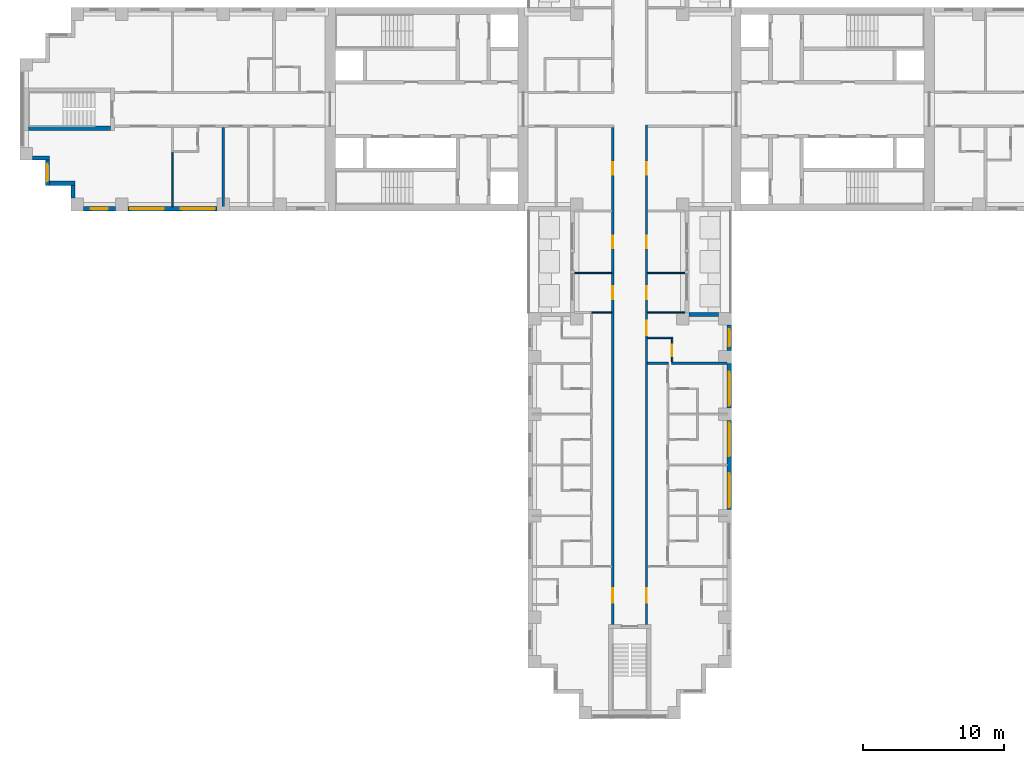
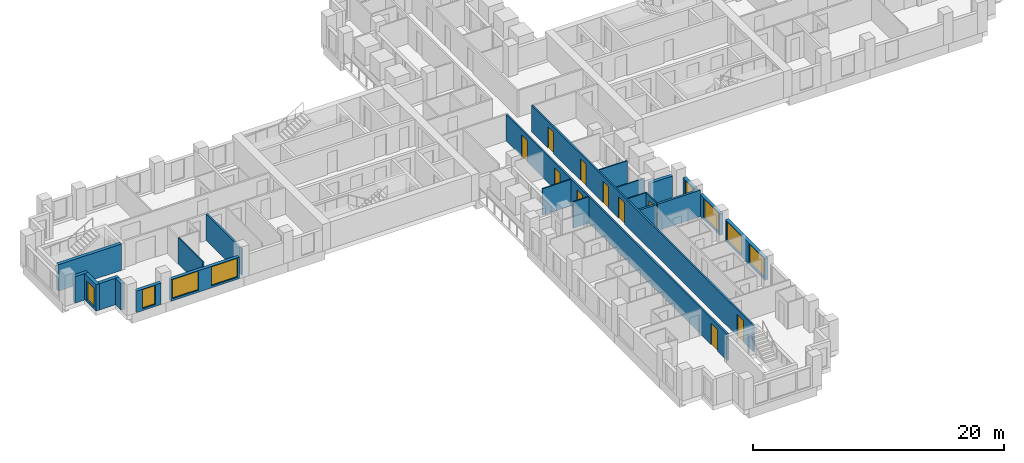
# One storey, part 5 of 14: 23 walls, 10 doors, 8 windows, 18 openings.
"""IFC4 building model written with IfcOpenShell, lengths in metres."""

from ifc_helpers import new_model, si_unit, direction, frame, frame_2d, origin, place, context, subcontext, project, spatial, rectangle, extrude, material, layer, layer_set, type_object, element, fill, save


model = new_model("IFC4")

# Units and contexts
model_context = context("Model", 3, precision=1e-05, world=origin(), true_north=direction((0.0, 1.0)))
body_context = subcontext(model_context, "Body", "Model", "MODEL_VIEW")
ifc_project = project(units=[si_unit("LENGTHUNIT", "METRE"), si_unit("AREAUNIT", "SQUARE_METRE"), si_unit("VOLUMEUNIT", "CUBIC_METRE"), si_unit("PLANEANGLEUNIT", "RADIAN"), si_unit("MASSUNIT", "GRAM", prefix="KILO")], contexts=[model_context])

# Site, building, storey
site_placement = place(None, origin())
site = spatial("IfcSite", under=ifc_project, at=site_placement, CompositionType="ELEMENT")
building_placement = place(site_placement, origin())
building = spatial("IfcBuilding", under=site, at=building_placement, Name="Fustian Cross Tower", CompositionType="ELEMENT")
storey_placement = place(building_placement, frame((0.0, 0.0, 72.89990234375)))
storey = spatial("IfcBuildingStorey", under=building, at=storey_placement, Name="L22", CompositionType="ELEMENT", Elevation=72.89990234375)

# Wall
ifc_material_1 = material(Name="Plasterboard on steel stud", Category="steel")
ifc_layer_1 = layer(ifc_material_1, 0.14990234375)
ifc_layer_set_1 = layer_set([ifc_layer_1], Name="Plasterboard on steel stud")
wall_type_1 = type_object("IfcWallType", Name="COMPARTMENT WALL 150 EI 60", PredefinedType="PARTITIONING", material=ifc_layer_set_1)
wall_1_placement = place(storey_placement, frame((-28.800048828125, -6.89990234375, 0.0), z_axis=(0.0, 0.0, 1.0), x_axis=(0.0, 1.0, 0.0)))
element("IfcWall", 1, at=wall_1_placement, inside=storey, type_object=wall_type_1, Name="Partition 8", PredefinedType="PARTITIONING", context=body_context, shape_type="SweptSolid", body=[
    extrude(rectangle(XDim=5.625, YDim=0.14990234375, at=frame_2d((2.8125, 0.0))), origin(), (0.0, 0.0, 1.0), 2.5751953125),
])

# Wall, openings, doors
wall_2_placement = place(storey_placement, frame((-1.199951171875, -36.5, 0.0), z_axis=(0.0, 0.0, 1.0), x_axis=(0.0, 1.0, 0.0)))
wall_2 = element("IfcWall", 2, at=wall_2_placement, inside=storey, type_object=wall_type_1, Name="Partition 49", PredefinedType="PARTITIONING", context=body_context, shape_type="SweptSolid", body=[
    extrude(rectangle(XDim=35.22509765625, YDim=0.14990234375, at=frame_2d((17.612548828125, 0.0))), origin(), (0.0, 0.0, 1.0), 2.5751953125),
])
opening_1_placement = place(wall_2_placement, frame((31.85009765625, 0.0, 0.0)))
opening_1 = element("IfcOpeningElement", 3, at=opening_1_placement, cuts=wall_2, Name="Opening D11007", PredefinedType="OPENING", context=body_context, shape_type="SweptSolid", body=[
    extrude(rectangle(XDim=0.89990234375, YDim=2.10009765625, at=frame_2d((0.449951171875, 1.050048828125))), frame((0.0, 0.0849609375, 0.0), z_axis=(0.0, -1.0, 0.0), x_axis=(1.0, 0.0, 0.0)), (0.0, 0.0, 1.0), 0.169921875),
])
opening_2_placement = place(wall_2_placement, frame((23.050048828125, 0.0, 0.0)))
opening_2 = element("IfcOpeningElement", 4, at=opening_2_placement, cuts=wall_2, Name="Opening D11051", PredefinedType="OPENING", context=body_context, shape_type="SweptSolid", body=[
    extrude(rectangle(XDim=0.89990234375, YDim=2.10009765625, at=frame_2d((0.449951171875, 1.050048828125))), frame((0.0, 0.0849609375, 0.0), z_axis=(0.0, -1.0, 0.0), x_axis=(1.0, 0.0, 0.0)), (0.0, 0.0, 1.0), 0.169921875),
])
opening_3_placement = place(wall_2_placement, frame((26.64990234375, 0.0, 0.0)))
opening_3 = element("IfcOpeningElement", 5, at=opening_3_placement, cuts=wall_2, Name="Opening D11052", PredefinedType="OPENING", context=body_context, shape_type="SweptSolid", body=[
    extrude(rectangle(XDim=0.89990234375, YDim=2.10009765625, at=frame_2d((0.449951171875, 1.050048828125))), frame((0.0, 0.0849609375, 0.0), z_axis=(0.0, -1.0, 0.0), x_axis=(1.0, 0.0, 0.0)), (0.0, 0.0, 1.0), 0.169921875),
])
opening_4_placement = place(wall_2_placement, frame((1.550048828125, 0.0, 0.0)))
opening_4 = element("IfcOpeningElement", 6, at=opening_4_placement, cuts=wall_2, Name="Opening D11054", PredefinedType="OPENING", context=body_context, shape_type="SweptSolid", body=[
    extrude(rectangle(XDim=1.0, YDim=2.10009765625, at=frame_2d((0.5, 1.050048828125))), frame((0.0, 0.0849609375, 0.0), z_axis=(0.0, -1.0, 0.0), x_axis=(1.0, 0.0, 0.0)), (0.0, 0.0, 1.0), 0.169921875),
])
ifc_material_2 = material(Name="Timber fire door set", Category="wood")
door_type_1 = type_object("IfcDoorType", Name="FIRE SWING DOOR 1000 FD30S", OperationType="SINGLE_SWING_LEFT", PredefinedType="DOOR", material=ifc_material_2)
door_1_placement = place(opening_4_placement, origin())
door_1 = element("IfcDoor", 7, at=door_1_placement, inside=storey, type_object=door_type_1, Name="Door D11054", OperationType="SINGLE_SWING_RIGHT", OverallHeight=2.10009765625, OverallWidth=1.0, PredefinedType="DOOR", context=body_context, shape_type="SweptSolid", body=[
    extrude(rectangle(XDim=1.0, YDim=2.10009765625, at=frame_2d((0.5, 1.050048828125))), frame((0.0, 0.02490234375, 0.0), z_axis=(0.0, -1.0, 0.0), x_axis=(1.0, 0.0, 0.0)), (0.0, 0.0, 1.0), 0.050048828125),
])
fill(opening_4, door_1)
ifc_material_3 = material(Name="Timber fire door set", Category="wood")
door_type_2 = type_object("IfcDoorType", Name="FIRE SWING DOOR 900 FD30S", OperationType="SINGLE_SWING_LEFT", PredefinedType="DOOR", material=ifc_material_3)
door_2_placement = place(opening_1_placement, origin())
door_2 = element("IfcDoor", 8, at=door_2_placement, inside=storey, type_object=door_type_2, Name="Door D11007", OperationType="SINGLE_SWING_LEFT", OverallHeight=2.10009765625, OverallWidth=0.89990234375, PredefinedType="DOOR", context=body_context, shape_type="SweptSolid", body=[
    extrude(rectangle(XDim=0.89990234375, YDim=2.10009765625, at=frame_2d((0.449951171875, 1.050048828125))), frame((0.0, 0.02490234375, 0.0), z_axis=(0.0, -1.0, 0.0), x_axis=(1.0, 0.0, 0.0)), (0.0, 0.0, 1.0), 0.050048828125),
])
fill(opening_1, door_2)
door_3_placement = place(opening_2_placement, origin())
door_3 = element("IfcDoor", 9, at=door_3_placement, inside=storey, type_object=door_type_2, Name="Door D11051", OperationType="SINGLE_SWING_LEFT", OverallHeight=2.10009765625, OverallWidth=0.89990234375, PredefinedType="DOOR", context=body_context, shape_type="SweptSolid", body=[
    extrude(rectangle(XDim=0.89990234375, YDim=2.10009765625, at=frame_2d((0.449951171875, 1.050048828125))), frame((0.0, 0.02490234375, 0.0), z_axis=(0.0, -1.0, 0.0), x_axis=(1.0, 0.0, 0.0)), (0.0, 0.0, 1.0), 0.050048828125),
])
fill(opening_2, door_3)
door_4_placement = place(opening_3_placement, origin())
door_4 = element("IfcDoor", 10, at=door_4_placement, inside=storey, type_object=door_type_2, Name="Door D11052", OperationType="SINGLE_SWING_LEFT", OverallHeight=2.10009765625, OverallWidth=0.89990234375, PredefinedType="DOOR", context=body_context, shape_type="SweptSolid", body=[
    extrude(rectangle(XDim=0.89990234375, YDim=2.10009765625, at=frame_2d((0.449951171875, 1.050048828125))), frame((0.0, 0.02490234375, 0.0), z_axis=(0.0, -1.0, 0.0), x_axis=(1.0, 0.0, 0.0)), (0.0, 0.0, 1.0), 0.050048828125),
])
fill(opening_3, door_4)

wall_3_placement = place(storey_placement, frame((1.199951171875, -36.5, 0.0), z_axis=(0.0, 0.0, 1.0), x_axis=(0.0, 1.0, 0.0)))
wall_3 = element("IfcWall", 11, at=wall_3_placement, inside=storey, type_object=wall_type_1, Name="Partition 52", PredefinedType="PARTITIONING", context=body_context, shape_type="SweptSolid", body=[
    extrude(rectangle(XDim=35.375, YDim=0.14990234375, at=frame_2d((17.6875, 0.0))), origin(), (0.0, 0.0, 1.0), 2.5751953125),
])
opening_5_placement = place(wall_3_placement, frame((31.85009765625, 0.0, 0.0)))
opening_5 = element("IfcOpeningElement", 12, at=opening_5_placement, cuts=wall_3, Name="Opening D11005", PredefinedType="OPENING", context=body_context, shape_type="SweptSolid", body=[
    extrude(rectangle(XDim=0.89990234375, YDim=2.10009765625, at=frame_2d((0.449951171875, 1.050048828125))), frame((0.0, 0.0849609375, 0.0), z_axis=(0.0, -1.0, 0.0), x_axis=(1.0, 0.0, 0.0)), (0.0, 0.0, 1.0), 0.169921875),
])
opening_6_placement = place(wall_3_placement, frame((23.050048828125, 0.0, 0.0)))
opening_6 = element("IfcOpeningElement", 13, at=opening_6_placement, cuts=wall_3, Name="Opening D11036", PredefinedType="OPENING", context=body_context, shape_type="SweptSolid", body=[
    extrude(rectangle(XDim=0.89990234375, YDim=2.10009765625, at=frame_2d((0.449951171875, 1.050048828125))), frame((0.0, 0.0849609375, 0.0), z_axis=(0.0, -1.0, 0.0), x_axis=(1.0, 0.0, 0.0)), (0.0, 0.0, 1.0), 0.169921875),
])
opening_7_placement = place(wall_3_placement, frame((26.64990234375, 0.0, 0.0)))
opening_7 = element("IfcOpeningElement", 14, at=opening_7_placement, cuts=wall_3, Name="Opening D11037", PredefinedType="OPENING", context=body_context, shape_type="SweptSolid", body=[
    extrude(rectangle(XDim=0.89990234375, YDim=2.10009765625, at=frame_2d((0.449951171875, 1.050048828125))), frame((0.0, 0.0849609375, 0.0), z_axis=(0.0, -1.0, 0.0), x_axis=(1.0, 0.0, 0.0)), (0.0, 0.0, 1.0), 0.169921875),
])
opening_8_placement = place(wall_3_placement, frame((20.5, 0.0, 0.0)))
opening_8 = element("IfcOpeningElement", 15, at=opening_8_placement, cuts=wall_3, Name="Opening D11039", PredefinedType="OPENING", context=body_context, shape_type="SweptSolid", body=[
    extrude(rectangle(XDim=1.0, YDim=2.10009765625, at=frame_2d((0.5, 1.050048828125))), frame((0.0, 0.0849609375, 0.0), z_axis=(0.0, -1.0, 0.0), x_axis=(1.0, 0.0, 0.0)), (0.0, 0.0, 1.0), 0.169921875),
])
opening_9_placement = place(wall_3_placement, frame((1.550048828125, 0.0, 0.0)))
opening_9 = element("IfcOpeningElement", 16, at=opening_9_placement, cuts=wall_3, Name="Opening D11041", PredefinedType="OPENING", context=body_context, shape_type="SweptSolid", body=[
    extrude(rectangle(XDim=1.0, YDim=2.10009765625, at=frame_2d((0.5, 1.050048828125))), frame((0.0, 0.0849609375, 0.0), z_axis=(0.0, -1.0, 0.0), x_axis=(1.0, 0.0, 0.0)), (0.0, 0.0, 1.0), 0.169921875),
])
door_5_placement = place(opening_8_placement, frame((1.0, 0.0, 0.0), z_axis=(0.0, 0.0, 1.0), x_axis=(-1.0, 0.0, 0.0)))
door_5 = element("IfcDoor", 17, at=door_5_placement, inside=storey, type_object=door_type_1, Name="Door D11039", OperationType="SINGLE_SWING_RIGHT", OverallHeight=2.10009765625, OverallWidth=1.0, PredefinedType="DOOR", context=body_context, shape_type="SweptSolid", body=[
    extrude(rectangle(XDim=1.0, YDim=2.10009765625, at=frame_2d((0.5, 1.050048828125))), frame((0.0, 0.02490234375, 0.0), z_axis=(0.0, -1.0, 0.0), x_axis=(1.0, 0.0, 0.0)), (0.0, 0.0, 1.0), 0.050048828125),
])
fill(opening_8, door_5)
door_6_placement = place(opening_9_placement, frame((1.0, 0.0, 0.0), z_axis=(0.0, 0.0, 1.0), x_axis=(-1.0, 0.0, 0.0)))
door_6 = element("IfcDoor", 18, at=door_6_placement, inside=storey, type_object=door_type_1, Name="Door D11041", OperationType="SINGLE_SWING_LEFT", OverallHeight=2.10009765625, OverallWidth=1.0, PredefinedType="DOOR", context=body_context, shape_type="SweptSolid", body=[
    extrude(rectangle(XDim=1.0, YDim=2.10009765625, at=frame_2d((0.5, 1.050048828125))), frame((0.0, 0.02490234375, 0.0), z_axis=(0.0, -1.0, 0.0), x_axis=(1.0, 0.0, 0.0)), (0.0, 0.0, 1.0), 0.050048828125),
])
fill(opening_9, door_6)
door_7_placement = place(opening_5_placement, frame((0.89990234375, 0.0, 0.0), z_axis=(0.0, 0.0, 1.0), x_axis=(-1.0, 0.0, 0.0)))
door_7 = element("IfcDoor", 19, at=door_7_placement, inside=storey, type_object=door_type_2, Name="Door D11005", OperationType="SINGLE_SWING_RIGHT", OverallHeight=2.10009765625, OverallWidth=0.89990234375, PredefinedType="DOOR", context=body_context, shape_type="SweptSolid", body=[
    extrude(rectangle(XDim=0.89990234375, YDim=2.10009765625, at=frame_2d((0.449951171875, 1.050048828125))), frame((0.0, 0.02490234375, 0.0), z_axis=(0.0, -1.0, 0.0), x_axis=(1.0, 0.0, 0.0)), (0.0, 0.0, 1.0), 0.050048828125),
])
fill(opening_5, door_7)
door_8_placement = place(opening_6_placement, frame((0.89990234375, 0.0, 0.0), z_axis=(0.0, 0.0, 1.0), x_axis=(-1.0, 0.0, 0.0)))
door_8 = element("IfcDoor", 20, at=door_8_placement, inside=storey, type_object=door_type_2, Name="Door D11036", OperationType="SINGLE_SWING_RIGHT", OverallHeight=2.10009765625, OverallWidth=0.89990234375, PredefinedType="DOOR", context=body_context, shape_type="SweptSolid", body=[
    extrude(rectangle(XDim=0.89990234375, YDim=2.10009765625, at=frame_2d((0.449951171875, 1.050048828125))), frame((0.0, 0.02490234375, 0.0), z_axis=(0.0, -1.0, 0.0), x_axis=(1.0, 0.0, 0.0)), (0.0, 0.0, 1.0), 0.050048828125),
])
fill(opening_6, door_8)
door_9_placement = place(opening_7_placement, frame((0.89990234375, 0.0, 0.0), z_axis=(0.0, 0.0, 1.0), x_axis=(-1.0, 0.0, 0.0)))
door_9 = element("IfcDoor", 21, at=door_9_placement, inside=storey, type_object=door_type_2, Name="Door D11037", OperationType="SINGLE_SWING_RIGHT", OverallHeight=2.10009765625, OverallWidth=0.89990234375, PredefinedType="DOOR", context=body_context, shape_type="SweptSolid", body=[
    extrude(rectangle(XDim=0.89990234375, YDim=2.10009765625, at=frame_2d((0.449951171875, 1.050048828125))), frame((0.0, 0.02490234375, 0.0), z_axis=(0.0, -1.0, 0.0), x_axis=(1.0, 0.0, 0.0)), (0.0, 0.0, 1.0), 0.050048828125),
])
fill(opening_7, door_9)

# Walls
ifc_material_4 = material(Name="Plasterboard on steel stud", Category="steel")
ifc_layer_2 = layer(ifc_material_4, 0.10009765625)
ifc_layer_set_2 = layer_set([ifc_layer_2], Name="Plasterboard on steel stud")
wall_type_2 = type_object("IfcWallType", Name="PARTITION 100 STUD", PredefinedType="PARTITIONING", material=ifc_layer_set_2)
wall_4_placement = place(storey_placement, frame((-32.39990234375, -6.89990234375, 0.0), z_axis=(0.0, 0.0, 1.0), x_axis=(0.0, 1.0, 0.0)))
element("IfcWall", 22, at=wall_4_placement, inside=storey, type_object=wall_type_2, Name="Partition 3", PredefinedType="PARTITIONING", context=body_context, shape_type="SweptSolid", body=[
    extrude(rectangle(XDim=3.89990234375, YDim=0.10009765625, at=frame_2d((1.949951171875, 0.0))), origin(), (0.0, 0.0, 1.0), 2.5751953125),
])
wall_5_placement = place(storey_placement, frame((-3.89990234375, -11.60009765625, 0.0), z_axis=(0.0, 0.0, 1.0), x_axis=(1.0, 0.0, 0.0)))
element("IfcWall", 23, at=wall_5_placement, inside=storey, type_object=wall_type_2, Name="Partition 39", PredefinedType="PARTITIONING", context=body_context, shape_type="SweptSolid", body=[
    extrude(rectangle(XDim=2.625, YDim=0.10009765625, at=frame_2d((1.3125, 0.0))), origin(), (0.0, 0.0, 1.0), 2.5751953125),
])
wall_6_placement = place(storey_placement, frame((-2.699951171875, -14.39990234375, 0.0), z_axis=(0.0, 0.0, 1.0), x_axis=(1.0, 0.0, 0.0)))
element("IfcWall", 24, at=wall_6_placement, inside=storey, type_object=wall_type_2, Name="Partition 48", PredefinedType="PARTITIONING", context=body_context, shape_type="SweptSolid", body=[
    extrude(rectangle(XDim=1.425048828125, YDim=0.10009765625, at=frame_2d((0.71240234375, 0.0))), origin(), (0.0, 0.0, 1.0), 2.5751953125),
])
wall_7_placement = place(storey_placement, frame((1.27490234375, -16.199951171875, 0.0), z_axis=(0.0, 0.0, 1.0), x_axis=(1.0, 0.0, 0.0)))
element("IfcWall", 25, at=wall_7_placement, inside=storey, type_object=wall_type_2, Name="Partition 55", PredefinedType="PARTITIONING", context=body_context, shape_type="SweptSolid", body=[
    extrude(rectangle(XDim=1.775146484375, YDim=0.10009765625, at=frame_2d((0.8876953125, 0.0))), origin(), (0.0, 0.0, 1.0), 2.5751953125),
])
for number, where, z_axis, x_axis, name in (
    (26, (1.27490234375, -14.39990234375, 0.0), (0.0, 0.0, 1.0), (1.0, 0.0, 0.0), "Partition 56"),
    (27, (1.27490234375, -11.60009765625, 0.0), (0.0, 0.0, 1.0), (1.0, 0.0, 0.0), "Partition 57"),
):
    element("IfcWall", number, at=place(storey_placement, frame(where, z_axis=z_axis, x_axis=x_axis)), inside=storey, type_object=wall_type_2, Name=name, PredefinedType="PARTITIONING", context=body_context, shape_type="SweptSolid", body=[
        extrude(rectangle(XDim=2.625, YDim=0.10009765625, at=frame_2d((1.3125, 0.0))), origin(), (0.0, 0.0, 1.0), 2.5751953125),
    ])

# Wall, opening, door
wall_8_placement = place(storey_placement, frame((3.0, -17.89990234375, 0.0), z_axis=(0.0, 0.0, 1.0), x_axis=(0.0, 1.0, 0.0)))
wall_8 = element("IfcWall", 28, at=wall_8_placement, inside=storey, type_object=wall_type_2, Name="Partition 75", PredefinedType="PARTITIONING", context=body_context, shape_type="SweptSolid", body=[
    extrude(rectangle(XDim=1.64990234375, YDim=0.10009765625, at=frame_2d((0.824951171875, 0.0))), origin(), (0.0, 0.0, 1.0), 2.5751953125),
])
opening_10_placement = place(wall_8_placement, frame((0.39990234375, 0.0, 0.0)))
opening_10 = element("IfcOpeningElement", 29, at=opening_10_placement, cuts=wall_8, Name="Opening D11038", PredefinedType="OPENING", context=body_context, shape_type="SweptSolid", body=[
    extrude(rectangle(XDim=0.800048828125, YDim=2.10009765625, at=frame_2d((0.39990234375, 1.050048828125))), frame((0.0, 0.06005859375, 0.0), z_axis=(0.0, -1.0, 0.0), x_axis=(1.0, 0.0, 0.0)), (0.0, 0.0, 1.0), 0.1201171875),
])
ifc_material_5 = material(Name="Painted timber", Category="wood")
door_type_3 = type_object("IfcDoorType", Name="SWING DOOR 800", OperationType="SINGLE_SWING_LEFT", PredefinedType="DOOR", material=ifc_material_5)
door_10_placement = place(opening_10_placement, origin())
door_10 = element("IfcDoor", 30, at=door_10_placement, inside=storey, type_object=door_type_3, Name="Door D11038", OperationType="SINGLE_SWING_RIGHT", OverallHeight=2.10009765625, OverallWidth=0.800048828125, PredefinedType="DOOR", context=body_context, shape_type="SweptSolid", body=[
    extrude(rectangle(XDim=0.800048828125, YDim=2.10009765625, at=frame_2d((0.39990234375, 1.050048828125))), frame((0.0, 0.02490234375, 0.0), z_axis=(0.0, -1.0, 0.0), x_axis=(1.0, 0.0, 0.0)), (0.0, 0.0, 1.0), 0.050048828125),
])
fill(opening_10, door_10)

# Walls
ifc_material_6 = material(Name="Plasterboard on steel stud", Category="steel")
ifc_layer_3 = layer(ifc_material_6, 0.199951171875)
ifc_layer_set_3 = layer_set([ifc_layer_3], Name="Plasterboard on steel stud")
wall_type_3 = type_object("IfcWallType", Name="PARTY WALL 200 EI 60", PredefinedType="PARTITIONING", material=ifc_layer_set_3)
wall_9_placement = place(storey_placement, frame((1.27490234375, -18.0, 0.0), z_axis=(0.0, 0.0, 1.0), x_axis=(1.0, 0.0, 0.0)))
element("IfcWall", 31, at=wall_9_placement, inside=storey, type_object=wall_type_3, Name="Partition 54", PredefinedType="PARTITIONING", context=body_context, shape_type="SweptSolid", body=[
    extrude(rectangle(XDim=1.47509765625, YDim=0.199951171875, at=frame_2d((0.737548828125, 0.0))), origin(), (0.0, 0.0, 1.0), 2.5751953125),
])
wall_10_placement = place(storey_placement, frame((2.949951171875, -18.0, 0.0), z_axis=(0.0, 0.0, 1.0), x_axis=(1.0, 0.0, 0.0)))
element("IfcWall", 32, at=wall_10_placement, inside=storey, type_object=wall_type_3, Name="Partition 76", PredefinedType="PARTITIONING", context=body_context, shape_type="SweptSolid", body=[
    extrude(rectangle(XDim=3.949951171875, YDim=0.199951171875, at=frame_2d((1.97509765625, 0.0))), origin(), (0.0, 0.0, 1.0), 2.5751953125),
])
ifc_material_7 = material(Name="Concrete C50/60", Category="concrete")
ifc_layer_4 = layer(ifc_material_7, 0.300048828125)
ifc_layer_set_4 = layer_set([ifc_layer_4], Name="Concrete C50/60")
wall_type_4 = type_object("IfcWallType", Name="STAIR ENCLOSURE WALL 300 C50/60", PredefinedType="SHEAR", material=ifc_layer_set_4)
wall_11_placement = place(storey_placement, frame((-36.800048828125, -1.35009765625, 0.0), z_axis=(0.0, 0.0, 1.0), x_axis=(-1.0, 0.0, 0.0)))
element("IfcWall", 33, at=wall_11_placement, inside=storey, type_object=wall_type_4, Name="Stair enclosure wall", PredefinedType="SHEAR", context=body_context, shape_type="SweptSolid", body=[
    extrude(rectangle(XDim=5.800048828125, YDim=0.300048828125, at=frame_2d((2.89990234375, 0.0))), origin(), (0.0, 0.0, 1.0), 2.5751953125),
])
ifc_material_8 = material(Name="Dark aluminium cladding on insulated backing wall", Category="aluminium")
ifc_layer_5 = layer(ifc_material_8, 0.300048828125)
ifc_layer_set_5 = layer_set([ifc_layer_5], Name="Dark aluminium cladding on insulated backing wall")
wall_type_5 = type_object("IfcWallType", Name="XW1 EXTERNAL WALL 300", PredefinedType="SOLIDWALL", material=ifc_layer_set_5)
wall_12_placement = place(storey_placement, frame((-42.300048828125, -3.449951171875, 0.0), z_axis=(0.0, 0.0, 1.0), x_axis=(1.0, 0.0, 0.0)))
element("IfcWall", 34, at=wall_12_placement, inside=storey, type_object=wall_type_5, Name="External wall", PredefinedType="SOLIDWALL", context=body_context, shape_type="SweptSolid", body=[
    extrude(rectangle(XDim=1.199951171875, YDim=0.300048828125, at=frame_2d((0.60009765625, 0.0))), origin(), (0.0, 0.0, 1.0), 2.5751953125),
])

# Wall, opening, window
wall_13_placement = place(storey_placement, frame((-41.25, -3.60009765625, 0.0), z_axis=(0.0, 0.0, 1.0), x_axis=(0.0, -1.0, 0.0)))
wall_13 = element("IfcWall", 35, at=wall_13_placement, inside=storey, type_object=wall_type_5, Name="External wall", PredefinedType="SOLIDWALL", context=body_context, shape_type="SweptSolid", body=[
    extrude(rectangle(XDim=1.7998046875, YDim=0.300048828125, at=frame_2d((0.89990234375, 0.0))), origin(), (0.0, 0.0, 1.0), 2.5751953125),
])
opening_11_placement = place(wall_13_placement, frame((0.300048828125, 0.0, 0.199951171875)))
opening_11 = element("IfcOpeningElement", 36, at=opening_11_placement, cuts=wall_13, Name="Opening WN3", PredefinedType="OPENING", context=body_context, shape_type="SweptSolid", body=[
    extrude(rectangle(XDim=1.199951171875, YDim=1.85009765625, at=frame_2d((0.60009765625, 0.925048828125))), frame((0.0, 0.159912109375, 0.0), z_axis=(0.0, -1.0, 0.0), x_axis=(1.0, 0.0, 0.0)), (0.0, 0.0, 1.0), 0.320068359375),
])
ifc_material_9 = material(Name="Dark anodised aluminium and double glazing", Category="aluminium")
window_type_1 = type_object("IfcWindowType", Name="WN3 WINDOW 1200X1850", PartitioningType="SINGLE_PANEL", PredefinedType="WINDOW", material=ifc_material_9)
window_1_placement = place(opening_11_placement, origin())
window_1 = element("IfcWindow", 37, at=window_1_placement, inside=storey, type_object=window_type_1, Name="Window", OverallHeight=1.85009765625, OverallWidth=1.199951171875, PartitioningType="SINGLE_PANEL", PredefinedType="WINDOW", context=body_context, shape_type="SweptSolid", body=[
    extrude(rectangle(XDim=1.199951171875, YDim=1.85009765625, at=frame_2d((0.60009765625, 0.925048828125))), frame((0.0, 0.030029296875, 0.0), z_axis=(0.0, -1.0, 0.0), x_axis=(1.0, 0.0, 0.0)), (0.0, 0.0, 1.0), 0.06005859375),
])
fill(opening_11, window_1)

# Walls
wall_14_placement = place(storey_placement, frame((-41.10009765625, -5.25, 0.0), z_axis=(0.0, 0.0, 1.0), x_axis=(1.0, 0.0, 0.0)))
element("IfcWall", 38, at=wall_14_placement, inside=storey, type_object=wall_type_5, Name="External wall", PredefinedType="SOLIDWALL", context=body_context, shape_type="SweptSolid", body=[
    extrude(rectangle(XDim=1.800048828125, YDim=0.300048828125, at=frame_2d((0.89990234375, 0.0))), origin(), (0.0, 0.0, 1.0), 2.5751953125),
])
wall_15_placement = place(storey_placement, frame((-39.449951171875, -5.39990234375, 0.0), z_axis=(0.0, 0.0, 1.0), x_axis=(0.0, -1.0, 0.0)))
element("IfcWall", 39, at=wall_15_placement, inside=storey, type_object=wall_type_5, Name="External wall", PredefinedType="SOLIDWALL", context=body_context, shape_type="SweptSolid", body=[
    extrude(rectangle(XDim=0.900146484375, YDim=0.300048828125, at=frame_2d((0.4501953125, 0.0))), origin(), (0.0, 0.0, 1.0), 2.5751953125),
])

# Wall, opening, window
wall_16_placement = place(storey_placement, frame((-38.699951171875, -7.050048828125, 0.0), z_axis=(0.0, 0.0, 1.0), x_axis=(1.0, 0.0, 0.0)))
wall_16 = element("IfcWall", 40, at=wall_16_placement, inside=storey, type_object=wall_type_5, Name="External wall", PredefinedType="SOLIDWALL", context=body_context, shape_type="SweptSolid", body=[
    extrude(rectangle(XDim=2.25, YDim=0.300048828125, at=frame_2d((1.125, 0.0))), origin(), (0.0, 0.0, 1.0), 2.10009765625),
])
opening_12_placement = place(wall_16_placement, frame((0.52490234375, 0.0, 0.199951171875)))
opening_12 = element("IfcOpeningElement", 41, at=opening_12_placement, cuts=wall_16, Name="Opening WN3", PredefinedType="OPENING", context=body_context, shape_type="SweptSolid", body=[
    extrude(rectangle(XDim=1.199951171875, YDim=1.85009765625, at=frame_2d((0.60009765625, 0.925048828125))), frame((0.0, 0.159912109375, 0.0), z_axis=(0.0, -1.0, 0.0), x_axis=(1.0, 0.0, 0.0)), (0.0, 0.0, 1.0), 0.320068359375),
])
window_2_placement = place(opening_12_placement, origin())
window_2 = element("IfcWindow", 42, at=window_2_placement, inside=storey, type_object=window_type_1, Name="Window", OverallHeight=1.85009765625, OverallWidth=1.199951171875, PartitioningType="SINGLE_PANEL", PredefinedType="WINDOW", context=body_context, shape_type="SweptSolid", body=[
    extrude(rectangle(XDim=1.199951171875, YDim=1.85009765625, at=frame_2d((0.60009765625, 0.925048828125))), frame((0.0, 0.030029296875, 0.0), z_axis=(0.0, -1.0, 0.0), x_axis=(1.0, 0.0, 0.0)), (0.0, 0.0, 1.0), 0.06005859375),
])
fill(opening_12, window_2)

# Wall, openings, windows
wall_17_placement = place(storey_placement, frame((-35.550048828125, -7.050048828125, 0.0), z_axis=(0.0, 0.0, 1.0), x_axis=(1.0, 0.0, 0.0)))
wall_17 = element("IfcWall", 43, at=wall_17_placement, inside=storey, type_object=wall_type_5, Name="External wall", PredefinedType="SOLIDWALL", context=body_context, shape_type="SweptSolid", body=[
    extrude(rectangle(XDim=6.300048828125, YDim=0.300048828125, at=frame_2d((3.14990234375, 0.0))), origin(), (0.0, 0.0, 1.0), 2.10009765625),
])
opening_13_placement = place(wall_17_placement, frame((0.14990234375, 0.0, 0.199951171875)))
opening_13 = element("IfcOpeningElement", 44, at=opening_13_placement, cuts=wall_17, Name="Opening WN1", PredefinedType="OPENING", context=body_context, shape_type="SweptSolid", body=[
    extrude(rectangle(XDim=2.39990234375, YDim=1.85009765625, at=frame_2d((1.199951171875, 0.925048828125))), frame((0.0, 0.159912109375, 0.0), z_axis=(0.0, -1.0, 0.0), x_axis=(1.0, 0.0, 0.0)), (0.0, 0.0, 1.0), 0.320068359375),
])
opening_14_placement = place(wall_17_placement, frame((3.75, 0.0, 0.199951171875)))
opening_14 = element("IfcOpeningElement", 45, at=opening_14_placement, cuts=wall_17, Name="Opening WN1", PredefinedType="OPENING", context=body_context, shape_type="SweptSolid", body=[
    extrude(rectangle(XDim=2.39990234375, YDim=1.85009765625, at=frame_2d((1.199951171875, 0.925048828125))), frame((0.0, 0.159912109375, 0.0), z_axis=(0.0, -1.0, 0.0), x_axis=(1.0, 0.0, 0.0)), (0.0, 0.0, 1.0), 0.320068359375),
])
ifc_material_10 = material(Name="Dark anodised aluminium and double glazing", Category="aluminium")
window_type_2 = type_object("IfcWindowType", Name="WN1 WINDOW 2400X1850", PartitioningType="SINGLE_PANEL", PredefinedType="WINDOW", material=ifc_material_10)
window_3_placement = place(opening_13_placement, origin())
window_3 = element("IfcWindow", 46, at=window_3_placement, inside=storey, type_object=window_type_2, Name="Window", OverallHeight=1.85009765625, OverallWidth=2.39990234375, PartitioningType="SINGLE_PANEL", PredefinedType="WINDOW", context=body_context, shape_type="SweptSolid", body=[
    extrude(rectangle(XDim=2.39990234375, YDim=1.85009765625, at=frame_2d((1.199951171875, 0.925048828125))), frame((0.0, 0.030029296875, 0.0), z_axis=(0.0, -1.0, 0.0), x_axis=(1.0, 0.0, 0.0)), (0.0, 0.0, 1.0), 0.06005859375),
])
fill(opening_13, window_3)
window_4_placement = place(opening_14_placement, origin())
window_4 = element("IfcWindow", 47, at=window_4_placement, inside=storey, type_object=window_type_2, Name="Window", OverallHeight=1.85009765625, OverallWidth=2.39990234375, PartitioningType="SINGLE_PANEL", PredefinedType="WINDOW", context=body_context, shape_type="SweptSolid", body=[
    extrude(rectangle(XDim=2.39990234375, YDim=1.85009765625, at=frame_2d((1.199951171875, 0.925048828125))), frame((0.0, 0.030029296875, 0.0), z_axis=(0.0, -1.0, 0.0), x_axis=(1.0, 0.0, 0.0)), (0.0, 0.0, 1.0), 0.06005859375),
])
fill(opening_14, window_4)

wall_18_placement = place(storey_placement, frame((7.050048828125, -28.35009765625, 0.0), z_axis=(0.0, 0.0, 1.0), x_axis=(0.0, 1.0, 0.0)))
wall_18 = element("IfcWall", 48, at=wall_18_placement, inside=storey, type_object=wall_type_5, Name="External wall", PredefinedType="SOLIDWALL", context=body_context, shape_type="SweptSolid", body=[
    extrude(rectangle(XDim=6.300048828125, YDim=0.300048828125, at=frame_2d((3.14990234375, 0.0))), origin(), (0.0, 0.0, 1.0), 2.10009765625),
])
opening_15_placement = place(wall_18_placement, frame((0.14990234375, 0.0, 0.199951171875)))
opening_15 = element("IfcOpeningElement", 49, at=opening_15_placement, cuts=wall_18, Name="Opening WN1", PredefinedType="OPENING", context=body_context, shape_type="SweptSolid", body=[
    extrude(rectangle(XDim=2.39990234375, YDim=1.85009765625, at=frame_2d((1.199951171875, 0.925048828125))), frame((0.0, 0.159912109375, 0.0), z_axis=(0.0, -1.0, 0.0), x_axis=(1.0, 0.0, 0.0)), (0.0, 0.0, 1.0), 0.320068359375),
])
opening_16_placement = place(wall_18_placement, frame((3.75, 0.0, 0.199951171875)))
opening_16 = element("IfcOpeningElement", 50, at=opening_16_placement, cuts=wall_18, Name="Opening WN1", PredefinedType="OPENING", context=body_context, shape_type="SweptSolid", body=[
    extrude(rectangle(XDim=2.39990234375, YDim=1.85009765625, at=frame_2d((1.199951171875, 0.925048828125))), frame((0.0, 0.159912109375, 0.0), z_axis=(0.0, -1.0, 0.0), x_axis=(1.0, 0.0, 0.0)), (0.0, 0.0, 1.0), 0.320068359375),
])
window_5_placement = place(opening_15_placement, origin())
window_5 = element("IfcWindow", 51, at=window_5_placement, inside=storey, type_object=window_type_2, Name="Window", OverallHeight=1.85009765625, OverallWidth=2.39990234375, PartitioningType="SINGLE_PANEL", PredefinedType="WINDOW", context=body_context, shape_type="SweptSolid", body=[
    extrude(rectangle(XDim=2.39990234375, YDim=1.85009765625, at=frame_2d((1.199951171875, 0.925048828125))), frame((0.0, 0.030029296875, 0.0), z_axis=(0.0, -1.0, 0.0), x_axis=(1.0, 0.0, 0.0)), (0.0, 0.0, 1.0), 0.06005859375),
])
fill(opening_15, window_5)
window_6_placement = place(opening_16_placement, origin())
window_6 = element("IfcWindow", 52, at=window_6_placement, inside=storey, type_object=window_type_2, Name="Window", OverallHeight=1.85009765625, OverallWidth=2.39990234375, PartitioningType="SINGLE_PANEL", PredefinedType="WINDOW", context=body_context, shape_type="SweptSolid", body=[
    extrude(rectangle(XDim=2.39990234375, YDim=1.85009765625, at=frame_2d((1.199951171875, 0.925048828125))), frame((0.0, 0.030029296875, 0.0), z_axis=(0.0, -1.0, 0.0), x_axis=(1.0, 0.0, 0.0)), (0.0, 0.0, 1.0), 0.06005859375),
])
fill(opening_16, window_6)

# Wall, opening, window
wall_19_placement = place(storey_placement, frame((7.050048828125, -21.14990234375, 0.0), z_axis=(0.0, 0.0, 1.0), x_axis=(0.0, 1.0, 0.0)))
wall_19 = element("IfcWall", 53, at=wall_19_placement, inside=storey, type_object=wall_type_5, Name="External wall", PredefinedType="SOLIDWALL", context=body_context, shape_type="SweptSolid", body=[
    extrude(rectangle(XDim=3.14990234375, YDim=0.300048828125, at=frame_2d((1.574951171875, 0.0))), origin(), (0.0, 0.0, 1.0), 2.10009765625),
])
opening_17_placement = place(wall_19_placement, frame((0.14990234375, 0.0, 0.199951171875)))
opening_17 = element("IfcOpeningElement", 54, at=opening_17_placement, cuts=wall_19, Name="Opening WN1", PredefinedType="OPENING", context=body_context, shape_type="SweptSolid", body=[
    extrude(rectangle(XDim=2.39990234375, YDim=1.85009765625, at=frame_2d((1.199951171875, 0.925048828125))), frame((0.0, 0.159912109375, 0.0), z_axis=(0.0, -1.0, 0.0), x_axis=(1.0, 0.0, 0.0)), (0.0, 0.0, 1.0), 0.320068359375),
])
window_7_placement = place(opening_17_placement, origin())
window_7 = element("IfcWindow", 55, at=window_7_placement, inside=storey, type_object=window_type_2, Name="Window", OverallHeight=1.85009765625, OverallWidth=2.39990234375, PartitioningType="SINGLE_PANEL", PredefinedType="WINDOW", context=body_context, shape_type="SweptSolid", body=[
    extrude(rectangle(XDim=2.39990234375, YDim=1.85009765625, at=frame_2d((1.199951171875, 0.925048828125))), frame((0.0, 0.030029296875, 0.0), z_axis=(0.0, -1.0, 0.0), x_axis=(1.0, 0.0, 0.0)), (0.0, 0.0, 1.0), 0.06005859375),
])
fill(opening_17, window_7)

wall_20_placement = place(storey_placement, frame((7.050048828125, -17.10009765625, 0.0), z_axis=(0.0, 0.0, 1.0), x_axis=(0.0, 1.0, 0.0)))
wall_20 = element("IfcWall", 56, at=wall_20_placement, inside=storey, type_object=wall_type_5, Name="External wall", PredefinedType="SOLIDWALL", context=body_context, shape_type="SweptSolid", body=[
    extrude(rectangle(XDim=1.800048828125, YDim=0.300048828125, at=frame_2d((0.89990234375, 0.0))), origin(), (0.0, 0.0, 1.0), 2.10009765625),
])
opening_18_placement = place(wall_20_placement, frame((0.300048828125, 0.0, 0.199951171875)))
opening_18 = element("IfcOpeningElement", 57, at=opening_18_placement, cuts=wall_20, Name="Opening WN3", PredefinedType="OPENING", context=body_context, shape_type="SweptSolid", body=[
    extrude(rectangle(XDim=1.199951171875, YDim=1.85009765625, at=frame_2d((0.60009765625, 0.925048828125))), frame((0.0, 0.159912109375, 0.0), z_axis=(0.0, -1.0, 0.0), x_axis=(1.0, 0.0, 0.0)), (0.0, 0.0, 1.0), 0.320068359375),
])
window_8_placement = place(opening_18_placement, origin())
window_8 = element("IfcWindow", 58, at=window_8_placement, inside=storey, type_object=window_type_1, Name="Window", OverallHeight=1.85009765625, OverallWidth=1.199951171875, PartitioningType="SINGLE_PANEL", PredefinedType="WINDOW", context=body_context, shape_type="SweptSolid", body=[
    extrude(rectangle(XDim=1.199951171875, YDim=1.85009765625, at=frame_2d((0.60009765625, 0.925048828125))), frame((0.0, 0.030029296875, 0.0), z_axis=(0.0, -1.0, 0.0), x_axis=(1.0, 0.0, 0.0)), (0.0, 0.0, 1.0), 0.06005859375),
])
fill(opening_18, window_8)

# Wall
wall_21_placement = place(storey_placement, frame((6.300048828125, -14.550048828125, 0.0), z_axis=(0.0, 0.0, 1.0), x_axis=(-1.0, 0.0, 0.0)))
element("IfcWall", 59, at=wall_21_placement, inside=storey, type_object=wall_type_5, Name="External wall", PredefinedType="SOLIDWALL", context=body_context, shape_type="SweptSolid", body=[
    extrude(rectangle(XDim=2.10009765625, YDim=0.300048828125, at=frame_2d((1.050048828125, 0.0))), origin(), (0.0, 0.0, 1.0), 2.10009765625),
])

save(model, "model.ifc")
